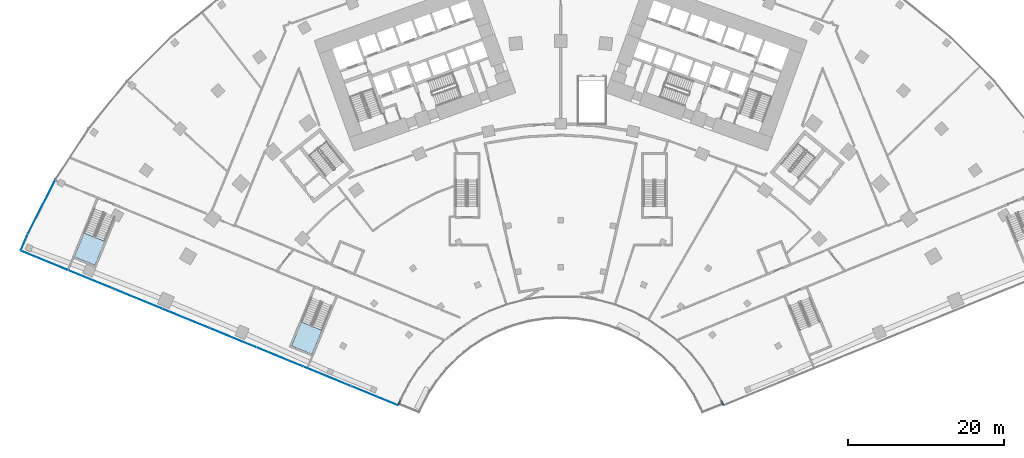
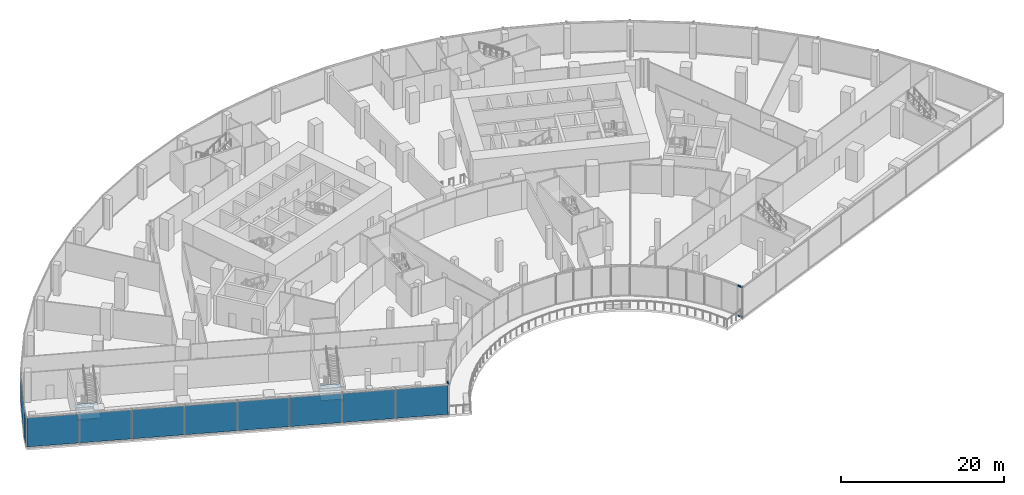
# One storey, part 16 of 40: 10 plates, 4 members, 2 slabs, 5 elements without a shape of their own.
"""IFC4 building model written with IfcOpenShell, lengths in metres."""

from ifc_helpers import new_model, si_unit, direction, frame, origin, origin_2d, place, context, subcontext, project, spatial, polyline, rectangle, outline, extrude, material, layer, layer_set, material_profile, profile_set, type_object, element, aggregate, save


model = new_model("IFC4")

# Units and contexts
model_context = context("Model", 3, precision=1e-05, world=origin(), true_north=direction((0.0, 1.0)))
body_context = subcontext(model_context, "Body", "Model", "MODEL_VIEW")
ifc_project = project(units=[si_unit("LENGTHUNIT", "METRE"), si_unit("AREAUNIT", "SQUARE_METRE"), si_unit("VOLUMEUNIT", "CUBIC_METRE"), si_unit("PLANEANGLEUNIT", "RADIAN"), si_unit("MASSUNIT", "GRAM", prefix="KILO")], contexts=[model_context])

# Site, building, storey
site_placement = place(None, origin())
site = spatial("IfcSite", under=ifc_project, at=site_placement, CompositionType="ELEMENT")
building_placement = place(site_placement, origin())
building = spatial("IfcBuilding", under=site, at=building_placement, Name="Stone Belt Terrace Tower", CompositionType="ELEMENT")
storey_placement = place(building_placement, frame((0.0, 0.0, 11.60009765625)))
storey = spatial("IfcBuildingStorey", under=building, at=storey_placement, Name="L02", CompositionType="ELEMENT", Elevation=11.60009765625)

# Curtain wall, members
ifc_material_1 = material(Name="Aluminium 6063-T6 anodised frame", Category="aluminium")
ifc_layer_1 = layer(ifc_material_1, 0.14990234375)
ifc_layer_set_1 = layer_set([ifc_layer_1], Name="CW-D podium shopfront")
curtain_wall_type = type_object("IfcCurtainWallType", Name="CW-D podium shopfront", PredefinedType="NOTDEFINED", material=ifc_layer_set_1)
curtain_wall_1_placement = place(storey_placement, origin())
curtain_wall_1 = element("IfcCurtainWall", 1, at=curtain_wall_1_placement, inside=storey, type_object=curtain_wall_type, Name="CW-D concave face L02", PredefinedType="NOTDEFINED")
ifc_material_profile = material_profile(ifc_material_1, rectangle(XDim=0.14990234375, YDim=0.139892578125, at=origin_2d()), Name="Aluminium 6063-T6 150x140")
ifc_profile_set = profile_set([ifc_material_profile], Name="Aluminium 6063-T6 anodised frame")
member_type = type_object("IfcMemberType", Name="CW-D transom 140 x 150", PredefinedType="USERDEFINED", material=ifc_profile_set)
member_1_placement = place(storey_placement, frame((-20.750244140625, 8.503662109375, 0.06982421875), z_axis=(0.393272176279, 0.919422098584, 0.0), x_axis=(-0.919422098584, 0.393272176279, 0.0)))
member_1 = element("IfcMember", 2, at=member_1_placement, type_object=member_type, Name="CW-D transom 1.1", ObjectType="TRANSOM", PredefinedType="USERDEFINED", context=body_context, shape_type="SweptSolid", body=[
    extrude(rectangle(XDim=0.14990234375, YDim=0.139892578125, at=origin_2d()), origin(), (0.0, 0.0, 1.0), 0.637451171875),
])
member_2_placement = place(storey_placement, frame((-20.750244140625, 8.503662109375, 4.52978515625), z_axis=(0.393272176279, 0.919422098584, 0.0), x_axis=(-0.919422098584, 0.393272176279, 0.0)))
member_2 = element("IfcMember", 3, at=member_2_placement, type_object=member_type, Name="CW-D transom 1.2", ObjectType="TRANSOM", PredefinedType="USERDEFINED", context=body_context, shape_type="SweptSolid", body=[
    extrude(rectangle(XDim=0.14990234375, YDim=0.139892578125, at=origin_2d()), origin(), (0.0, 0.0, 1.0), 0.637451171875),
])
member_3_placement = place(storey_placement, frame((20.49951171875, 9.08984375, 0.06982421875), z_axis=(0.393272176279, -0.919422098584, 0.0), x_axis=(0.919422098584, 0.393272176279, 0.0)))
member_3 = element("IfcMember", 4, at=member_3_placement, type_object=member_type, Name="CW-D transom 21.1", ObjectType="TRANSOM", PredefinedType="USERDEFINED", context=body_context, shape_type="SweptSolid", body=[
    extrude(rectangle(XDim=0.14990234375, YDim=0.139892578125, at=origin_2d()), origin(), (0.0, 0.0, 1.0), 0.637451171875),
])
member_4_placement = place(storey_placement, frame((20.49951171875, 9.08984375, 4.52978515625), z_axis=(0.393272176279, -0.919422098584, 0.0), x_axis=(0.919422098584, 0.393272176279, 0.0)))
member_4 = element("IfcMember", 5, at=member_4_placement, type_object=member_type, Name="CW-D transom 21.2", ObjectType="TRANSOM", PredefinedType="USERDEFINED", context=body_context, shape_type="SweptSolid", body=[
    extrude(rectangle(XDim=0.14990234375, YDim=0.139892578125, at=origin_2d()), origin(), (0.0, 0.0, 1.0), 0.637451171875),
])
aggregate(curtain_wall_1, [member_1, member_2, member_3, member_4])

# Curtain wall, plates
curtain_wall_2_placement = place(storey_placement, origin())
curtain_wall_2 = element("IfcCurtainWall", 6, at=curtain_wall_2_placement, inside=storey, type_object=curtain_wall_type, Name="CW-D convex face L02", PredefinedType="NOTDEFINED")
ifc_material_2 = material(Name="Clear double glazed unit")
ifc_layer_2 = layer(ifc_material_2, 0.031982421875)
ifc_layer_set_2 = layer_set([ifc_layer_2], Name="CW-D glass panel 32")
plate_type = type_object("IfcPlateType", Name="CW-D glass panel 32", PredefinedType="CURTAIN_PANEL", material=ifc_layer_set_2)
plate_1_placement = place(storey_placement, frame((-66.355712890625, 33.81005859375, 0.1396484375), z_axis=(0.0, 0.0, 1.0), x_axis=(-0.45399049974, -0.891006524188, 0.0)))
plate_1 = element("IfcPlate", 7, at=plate_1_placement, type_object=plate_type, Name="CW-D panel 23.1", PredefinedType="CURTAIN_PANEL", context=body_context, shape_type="SweptSolid", body=[
    extrude(rectangle(XDim=7.738037109375, YDim=0.031982421875, at=origin_2d()), origin(), (0.0, 0.0, 1.0), 4.320068359375),
])
plate_2_placement = place(storey_placement, frame((-68.572021484375, 29.292724609375, 0.1396484375), z_axis=(0.0, 0.0, 1.0), x_axis=(-0.393033792222, -0.919524028056, 0.0)))
plate_2 = element("IfcPlate", 8, at=plate_2_placement, type_object=plate_type, Name="CW-D panel 24.1", PredefinedType="CURTAIN_PANEL", context=body_context, shape_type="SweptSolid", body=[
    extrude(rectangle(XDim=2.19921875, YDim=0.031982421875, at=origin_2d()), origin(), (0.0, 0.0, 1.0), 4.320068359375),
])
aggregate(curtain_wall_2, [plate_1, plate_2])

curtain_wall_3_placement = place(storey_placement, origin())
curtain_wall_3 = element("IfcCurtainWall", 9, at=curtain_wall_3_placement, inside=storey, type_object=curtain_wall_type, Name="CW-D end face L02", PredefinedType="NOTDEFINED")
plate_3_placement = place(storey_placement, frame((-65.970458984375, 26.957763671875, 0.1396484375), z_axis=(0.0, 0.0, 1.0), x_axis=(0.925297074342, -0.379243093825, 0.0)))
plate_3 = element("IfcPlate", 10, at=plate_3_placement, type_object=plate_type, Name="CW-D panel 1.1", PredefinedType="CURTAIN_PANEL", context=body_context, shape_type="SweptSolid", body=[
    extrude(rectangle(XDim=6.4716796875, YDim=0.031982421875, at=origin_2d()), origin(), (0.0, 0.0, 1.0), 4.320068359375),
])
plate_4_placement = place(storey_placement, frame((-59.94140625, 24.486572265625, 0.1396484375), z_axis=(0.0, 0.0, 1.0), x_axis=(0.925297074342, -0.379243093825, 0.0)))
plate_4 = element("IfcPlate", 11, at=plate_4_placement, type_object=plate_type, Name="CW-D panel 2.1", PredefinedType="CURTAIN_PANEL", context=body_context, shape_type="SweptSolid", body=[
    extrude(rectangle(XDim=6.43994140625, YDim=0.031982421875, at=origin_2d()), origin(), (0.0, 0.0, 1.0), 4.320068359375),
])
plate_5_placement = place(storey_placement, frame((-53.927001953125, 22.021484375, 0.1396484375), z_axis=(0.0, 0.0, 1.0), x_axis=(0.925297074342, -0.379243093825, 0.0)))
plate_5 = element("IfcPlate", 12, at=plate_5_placement, type_object=plate_type, Name="CW-D panel 3.1", PredefinedType="CURTAIN_PANEL", context=body_context, shape_type="SweptSolid", body=[
    extrude(rectangle(XDim=6.43994140625, YDim=0.031982421875, at=origin_2d()), origin(), (0.0, 0.0, 1.0), 4.320068359375),
])
plate_6_placement = place(storey_placement, frame((-47.91259765625, 19.556396484375, 0.1396484375), z_axis=(0.0, 0.0, 1.0), x_axis=(0.925297074342, -0.379243093825, 0.0)))
plate_6 = element("IfcPlate", 13, at=plate_6_placement, type_object=plate_type, Name="CW-D panel 4.1", PredefinedType="CURTAIN_PANEL", context=body_context, shape_type="SweptSolid", body=[
    extrude(rectangle(XDim=6.43994140625, YDim=0.031982421875, at=origin_2d()), origin(), (0.0, 0.0, 1.0), 4.320068359375),
])
plate_7_placement = place(storey_placement, frame((-41.898193359375, 17.09130859375, 0.1396484375), z_axis=(0.0, 0.0, 1.0), x_axis=(0.925297074342, -0.379243093825, 0.0)))
plate_7 = element("IfcPlate", 14, at=plate_7_placement, type_object=plate_type, Name="CW-D panel 5.1", PredefinedType="CURTAIN_PANEL", context=body_context, shape_type="SweptSolid", body=[
    extrude(rectangle(XDim=6.43994140625, YDim=0.031982421875, at=origin_2d()), origin(), (0.0, 0.0, 1.0), 4.320068359375),
])
plate_8_placement = place(storey_placement, frame((-35.8837890625, 14.626220703125, 0.1396484375), z_axis=(0.0, 0.0, 1.0), x_axis=(0.925297074342, -0.379243093825, 0.0)))
plate_8 = element("IfcPlate", 15, at=plate_8_placement, type_object=plate_type, Name="CW-D panel 6.1", PredefinedType="CURTAIN_PANEL", context=body_context, shape_type="SweptSolid", body=[
    extrude(rectangle(XDim=6.43994140625, YDim=0.031982421875, at=origin_2d()), origin(), (0.0, 0.0, 1.0), 4.320068359375),
])
plate_9_placement = place(storey_placement, frame((-29.869384765625, 12.1611328125, 0.1396484375), z_axis=(0.0, 0.0, 1.0), x_axis=(0.925297074342, -0.379243093825, 0.0)))
plate_9 = element("IfcPlate", 16, at=plate_9_placement, type_object=plate_type, Name="CW-D panel 7.1", PredefinedType="CURTAIN_PANEL", context=body_context, shape_type="SweptSolid", body=[
    extrude(rectangle(XDim=6.43994140625, YDim=0.031982421875, at=origin_2d()), origin(), (0.0, 0.0, 1.0), 4.320068359375),
])
plate_10_placement = place(storey_placement, frame((-23.841064453125, 9.6904296875, 0.1396484375), z_axis=(0.0, 0.0, 1.0), x_axis=(0.925297074342, -0.379243093825, 0.0)))
plate_10 = element("IfcPlate", 17, at=plate_10_placement, type_object=plate_type, Name="CW-D panel 8.1", PredefinedType="CURTAIN_PANEL", context=body_context, shape_type="SweptSolid", body=[
    extrude(rectangle(XDim=6.469970703125, YDim=0.031982421875, at=origin_2d()), origin(), (0.0, 0.0, 1.0), 4.320068359375),
])
aggregate(curtain_wall_3, [plate_3, plate_4, plate_5, plate_6, plate_7, plate_8, plate_9, plate_10])

# Stair, slab
ifc_material_3 = material(Name="Concrete B30", Category="concrete")
stair_type = type_object("IfcStairType", Name="Podium stair concrete B30", PredefinedType="HALF_TURN_STAIR", material=ifc_material_3)
stair_1_placement = place(storey_placement, origin())
stair_1 = element("IfcStair", 18, at=stair_1_placement, inside=storey, type_object=stair_type, Name="L02 podium exit stair 1", PredefinedType="HALF_TURN_STAIR")
ifc_layer_3 = layer(ifc_material_3, 0.199951171875)
ifc_layer_set_3 = layer_set([ifc_layer_3], Name="Podium stair landing concrete B30")
slab_type = type_object("IfcSlabType", Name="Podium stair landing concrete B30", PredefinedType="LANDING", material=ifc_layer_set_3)
slab_1_placement = place(storey_placement, frame((0.0, 0.0, 2.099853515625)))
slab_1 = element("IfcSlab", 19, at=slab_1_placement, type_object=slab_type, Name="PS1 landing 1", PredefinedType="LANDING", context=body_context, shape_type="SweptSolid", body=[
    extrude(outline(polyline([(-33.15283203125, 19.11376953125), (-34.4091796875, 16.04833984375), (-31.772216796875, 14.967529296875), (-30.515625, 18.032958984375), (-33.15283203125, 19.11376953125)])), origin(), (0.0, 0.0, 1.0), 0.199951171875),
])
aggregate(stair_1, [slab_1])

stair_2_placement = place(storey_placement, origin())
stair_2 = element("IfcStair", 20, at=stair_2_placement, inside=storey, type_object=stair_type, Name="L02 podium exit stair 2", PredefinedType="HALF_TURN_STAIR")
slab_2_placement = place(storey_placement, frame((0.0, 0.0, 2.099853515625)))
slab_2 = element("IfcSlab", 21, at=slab_2_placement, type_object=slab_type, Name="PS2 landing 1", PredefinedType="LANDING", context=body_context, shape_type="SweptSolid", body=[
    extrude(outline(polyline([(-60.91162109375, 30.4912109375), (-62.168212890625, 27.425537109375), (-59.531005859375, 26.3447265625), (-58.274658203125, 29.410400390625), (-60.91162109375, 30.4912109375)])), origin(), (0.0, 0.0, 1.0), 0.199951171875),
])
aggregate(stair_2, [slab_2])

save(model, "model.ifc")
